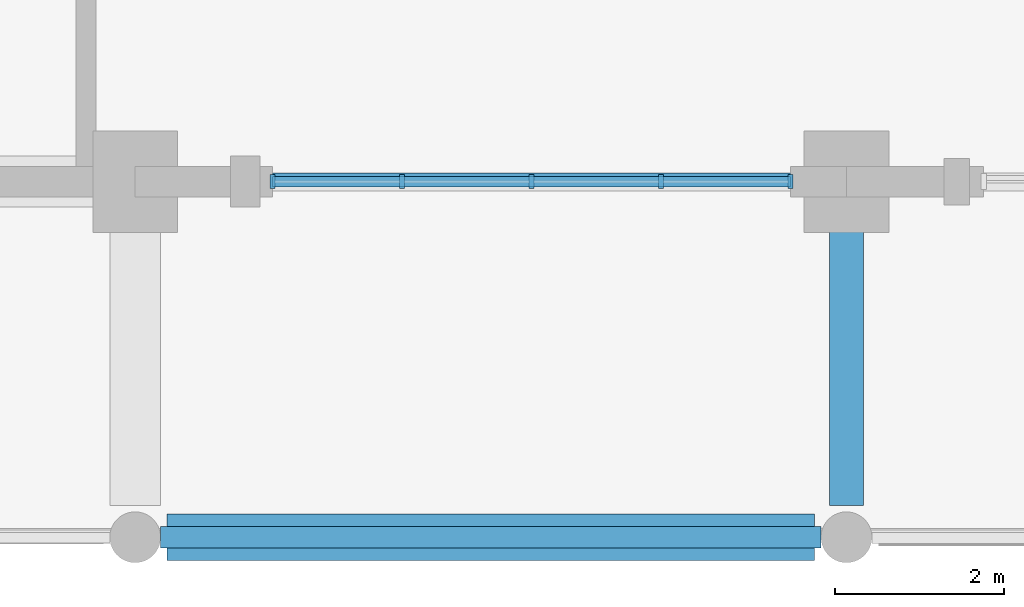
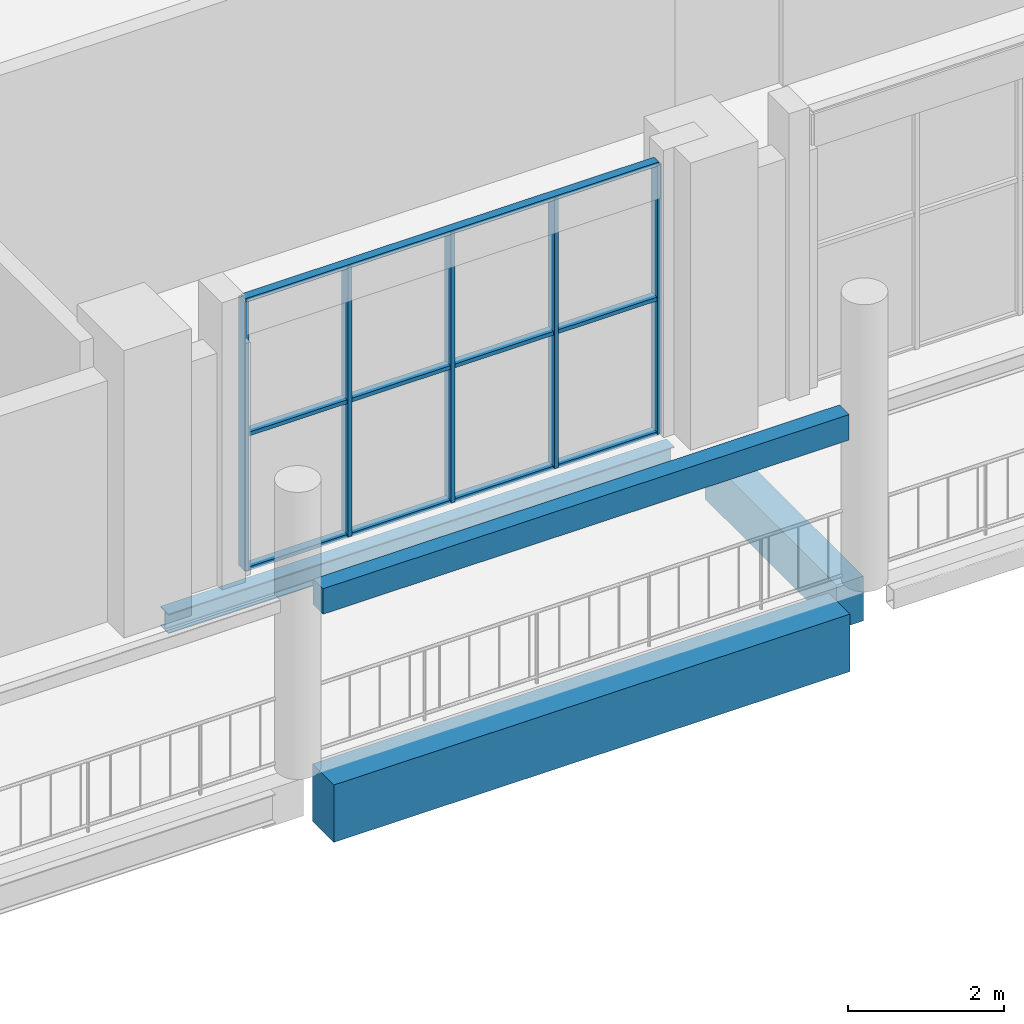
# One storey, part 41 of 75: 8 members, 4 beams, 1 element without a shape of its own.
"""IFC4 building model written with IfcOpenShell, lengths in metres."""

from ifc_helpers import new_model, si_unit, derived_unit, direction, frame, origin, origin_2d, place, context, subcontext, project, spatial, rectangle, i_section, extrude, material, material_profile, profile_set, type_object, element, aggregate, save


model = new_model("IFC4")

# Units and contexts
model_context = context("Model", 3, precision=1e-05, world=origin(), true_north=direction((0.0, 1.0)))
body_context = subcontext(model_context, "Body", "Model", "MODEL_VIEW")
ifc_project = project(units=[si_unit("LENGTHUNIT", "METRE"), si_unit("AREAUNIT", "SQUARE_METRE"), si_unit("VOLUMEUNIT", "CUBIC_METRE"), si_unit("PLANEANGLEUNIT", "RADIAN"), si_unit("MASSUNIT", "GRAM", prefix="KILO"), derived_unit("THERMALTRANSMITTANCEUNIT", [(si_unit("POWERUNIT", "WATT"), 1), (si_unit("LENGTHUNIT", "METRE"), -2), (si_unit("THERMODYNAMICTEMPERATUREUNIT", "KELVIN"), -1)])], contexts=[model_context])

# Site, building, storey
site_placement = place(None, origin())
site = spatial("IfcSite", under=ifc_project, at=site_placement, CompositionType="ELEMENT")
building_placement = place(site_placement, origin())
building = spatial("IfcBuilding", under=site, at=building_placement, Name="Barrovel Congress Hotel", CompositionType="ELEMENT")
storey_placement = place(building_placement, frame((0.0, 0.0, 5.39990234375)))
storey = spatial("IfcBuildingStorey", under=building, at=storey_placement, Name="L01", CompositionType="ELEMENT", Elevation=5.39990234375)

# Beams
ifc_material_1 = material(Name="Concrete C40", Category="concrete")
ifc_material_profile_1 = material_profile(ifc_material_1, rectangle(XDim=0.25, YDim=0.39990234375, at=origin_2d()), Name="RC250x400")
ifc_profile_set_1 = profile_set([ifc_material_profile_1], Name="Concrete C40")
beam_type_1 = type_object("IfcBeamType", Name="BM-RC250x400", PredefinedType="LINTEL", material=ifc_profile_set_1)
beam_1_placement = place(storey_placement, frame((151.5, 0.0, 2.550048828125), z_axis=(1.0, 0.0, 0.0), x_axis=(0.0, 1.0, 0.0)))
element("IfcBeam", 1, at=beam_1_placement, inside=storey, type_object=beam_type_1, Name="LIN:L01:151.2-159.6", PredefinedType="LINTEL", context=body_context, shape_type="SweptSolid", body=[
    extrude(rectangle(XDim=0.25, YDim=0.39990234375, at=origin_2d()), origin(), (0.0, 0.0, 1.0), 7.800048828125),
])
ifc_material_profile_2 = material_profile(ifc_material_1, rectangle(XDim=0.39990234375, YDim=0.699951171875, at=origin_2d()), Name="RC400x700")
ifc_profile_set_2 = profile_set([ifc_material_profile_2], Name="Concrete C40")
beam_type_2 = type_object("IfcBeamType", Name="BM-RC400x700", PredefinedType="BEAM", material=ifc_profile_set_2)
beam_2_placement = place(storey_placement, frame((159.60009765625, 0.375, -0.60986328125), z_axis=(0.0, 1.0, 0.0), x_axis=(-1.0, 0.0, 0.0)))
element("IfcBeam", 2, at=beam_2_placement, inside=storey, type_object=beam_type_2, Name="BMY:L01:159.6:0.0-4.2", PredefinedType="BEAM", context=body_context, shape_type="SweptSolid", body=[
    extrude(rectangle(XDim=0.39990234375, YDim=0.699951171875, at=origin_2d()), origin(), (0.0, 0.0, 1.0), 3.375),
])
ifc_material_profile_3 = material_profile(ifc_material_1, rectangle(XDim=0.550048828125, YDim=0.89990234375, at=origin_2d()), Name="RC550x900")
ifc_profile_set_3 = profile_set([ifc_material_profile_3], Name="Concrete C40")
beam_type_3 = type_object("IfcBeamType", Name="BM-RC550x900", PredefinedType="BEAM", material=ifc_profile_set_3)
beam_3_placement = place(storey_placement, frame((151.574951171875, 0.0, -0.7099609375), z_axis=(1.0, 0.0, 0.0), x_axis=(0.0, 1.0, 0.0)))
element("IfcBeam", 3, at=beam_3_placement, inside=storey, type_object=beam_type_3, Name="BMX:L01:0.0:151.2-159.6", PredefinedType="BEAM", context=body_context, shape_type="SweptSolid", body=[
    extrude(rectangle(XDim=0.550048828125, YDim=0.89990234375, at=origin_2d()), origin(), (0.0, 0.0, 1.0), 7.650146484375),
])

# Curtain wall, members
ifc_material_2 = material(Name="Anodised Aluminium Alloy 6063-T6", Category="aluminium")
curtain_wall_type = type_object("IfcCurtainWallType", Name="CW-ST-7200x3900", PredefinedType="USERDEFINED", material=ifc_material_2)
curtain_wall_placement = place(storey_placement, origin())
curtain_wall = element("IfcCurtainWall", 4, at=curtain_wall_placement, inside=storey, type_object=curtain_wall_type, Name="CW:L01:S:18", ObjectType="STICK CURTAIN WALL", PredefinedType="USERDEFINED")
ifc_material_profile_4 = material_profile(ifc_material_2, rectangle(XDim=0.06005859375, YDim=0.1650390625, at=origin_2d()), Name="AL-M60x165")
ifc_profile_set_4 = profile_set([ifc_material_profile_4], Name="Anodised Aluminium Alloy 6063-T6")
member_type_1 = type_object("IfcMemberType", Name="CWM-AL-M60x165", PredefinedType="MULLION", material=ifc_profile_set_4)
member_1_placement = place(storey_placement, frame((152.820068359375, 4.199951171875, 0.0), z_axis=(0.0, 0.0, 1.0), x_axis=(1.0, 0.0, 0.0)))
member_1 = element("IfcMember", 5, at=member_1_placement, type_object=member_type_1, Name="CW:L01:S:18:M0", PredefinedType="MULLION", context=body_context, shape_type="SweptSolid", body=[
    extrude(rectangle(XDim=0.06005859375, YDim=0.1650390625, at=origin_2d()), origin(), (0.0, 0.0, 1.0), 4.22021484375),
])
member_2_placement = place(storey_placement, frame((154.35009765625, 4.199951171875, 0.0), z_axis=(0.0, 0.0, 1.0), x_axis=(1.0, 0.0, 0.0)))
member_2 = element("IfcMember", 6, at=member_2_placement, type_object=member_type_1, Name="CW:L01:S:18:M1", PredefinedType="MULLION", context=body_context, shape_type="SweptSolid", body=[
    extrude(rectangle(XDim=0.06005859375, YDim=0.1650390625, at=origin_2d()), origin(), (0.0, 0.0, 1.0), 4.22021484375),
])
member_3_placement = place(storey_placement, frame((155.8798828125, 4.199951171875, 0.0), z_axis=(0.0, 0.0, 1.0), x_axis=(1.0, 0.0, 0.0)))
member_3 = element("IfcMember", 7, at=member_3_placement, type_object=member_type_1, Name="CW:L01:S:18:M2", PredefinedType="MULLION", context=body_context, shape_type="SweptSolid", body=[
    extrude(rectangle(XDim=0.06005859375, YDim=0.1650390625, at=origin_2d()), origin(), (0.0, 0.0, 1.0), 4.22021484375),
])
member_4_placement = place(storey_placement, frame((157.409912109375, 4.199951171875, 0.0), z_axis=(0.0, 0.0, 1.0), x_axis=(1.0, 0.0, 0.0)))
member_4 = element("IfcMember", 8, at=member_4_placement, type_object=member_type_1, Name="CW:L01:S:18:M3", PredefinedType="MULLION", context=body_context, shape_type="SweptSolid", body=[
    extrude(rectangle(XDim=0.06005859375, YDim=0.1650390625, at=origin_2d()), origin(), (0.0, 0.0, 1.0), 4.22021484375),
])
member_5_placement = place(storey_placement, frame((158.93994140625, 4.199951171875, 0.0), z_axis=(0.0, 0.0, 1.0), x_axis=(1.0, 0.0, 0.0)))
member_5 = element("IfcMember", 9, at=member_5_placement, type_object=member_type_1, Name="CW:L01:S:18:M4", PredefinedType="MULLION", context=body_context, shape_type="SweptSolid", body=[
    extrude(rectangle(XDim=0.06005859375, YDim=0.1650390625, at=origin_2d()), origin(), (0.0, 0.0, 1.0), 4.22021484375),
])
ifc_material_profile_5 = material_profile(ifc_material_2, rectangle(XDim=0.125, YDim=0.06005859375, at=origin_2d()), Name="AL-T60x125")
ifc_profile_set_5 = profile_set([ifc_material_profile_5], Name="Anodised Aluminium Alloy 6063-T6")
member_type_2 = type_object("IfcMemberType", Name="CWT-AL-T60x125", PredefinedType="USERDEFINED", material=ifc_profile_set_5)
member_6_placement = place(storey_placement, frame((152.820068359375, 4.199951171875, 0.0), z_axis=(1.0, 0.0, 0.0), x_axis=(0.0, 1.0, 0.0)))
member_6 = element("IfcMember", 10, at=member_6_placement, type_object=member_type_2, Name="CW:L01:S:18:T0", ObjectType="TRANSOM", PredefinedType="USERDEFINED", context=body_context, shape_type="SweptSolid", body=[
    extrude(rectangle(XDim=0.125, YDim=0.06005859375, at=origin_2d()), origin(), (0.0, 0.0, 1.0), 6.119873046875),
])
member_7_placement = place(storey_placement, frame((152.820068359375, 4.199951171875, 2.110107421875), z_axis=(1.0, 0.0, 0.0), x_axis=(0.0, 1.0, 0.0)))
member_7 = element("IfcMember", 11, at=member_7_placement, type_object=member_type_2, Name="CW:L01:S:18:T1", ObjectType="TRANSOM", PredefinedType="USERDEFINED", context=body_context, shape_type="SweptSolid", body=[
    extrude(rectangle(XDim=0.125, YDim=0.06005859375, at=origin_2d()), origin(), (0.0, 0.0, 1.0), 6.119873046875),
])
member_8_placement = place(storey_placement, frame((152.820068359375, 4.199951171875, 4.22021484375), z_axis=(1.0, 0.0, 0.0), x_axis=(0.0, 1.0, 0.0)))
member_8 = element("IfcMember", 12, at=member_8_placement, type_object=member_type_2, Name="CW:L01:S:18:T2", ObjectType="TRANSOM", PredefinedType="USERDEFINED", context=body_context, shape_type="SweptSolid", body=[
    extrude(rectangle(XDim=0.125, YDim=0.06005859375, at=origin_2d()), origin(), (0.0, 0.0, 1.0), 6.119873046875),
])
aggregate(curtain_wall, [member_1, member_2, member_3, member_4, member_5, member_6, member_7, member_8])

# Beam
ifc_material_3 = material(Name="Steel ASTM A992 Grade 50", Category="steel")
ifc_material_profile_6 = material_profile(ifc_material_3, i_section(OverallWidth=0.205078125, OverallDepth=0.31005859375, WebThickness=0.009521484375, FlangeThickness=0.016357421875, FilletRadius=0.012939453125, at=origin_2d()), Name="W310x74")
ifc_profile_set_6 = profile_set([ifc_material_profile_6], Name="Steel ASTM A992 Grade 50")
beam_type_4 = type_object("IfcBeamType", Name="SBM-W310x74", PredefinedType="SPANDREL", material=ifc_profile_set_6)
beam_4_placement = place(storey_placement, frame((151.64990234375, 4.199951171875, -0.414794921875), z_axis=(1.0, 0.0, 0.0), x_axis=(0.0, 1.0, 0.0)))
element("IfcBeam", 13, at=beam_4_placement, inside=storey, type_object=beam_type_4, Name="BMX:L01:4.2:151.2-159.6", PredefinedType="SPANDREL", context=body_context, shape_type="SweptSolid", body=[
    extrude(i_section(OverallWidth=0.205078125, OverallDepth=0.31005859375, WebThickness=0.009521484375, FlangeThickness=0.016357421875, FilletRadius=0.012939453125, at=origin_2d()), origin(), (0.0, 0.0, 1.0), 7.5),
])

save(model, "model.ifc")
